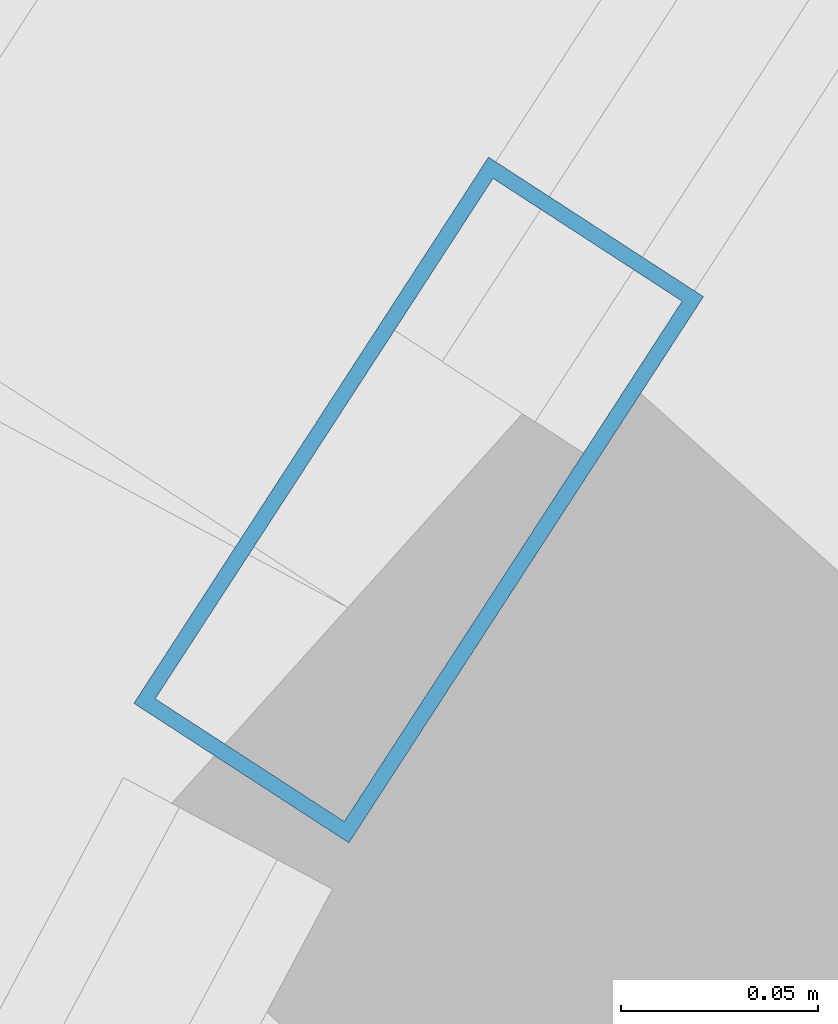
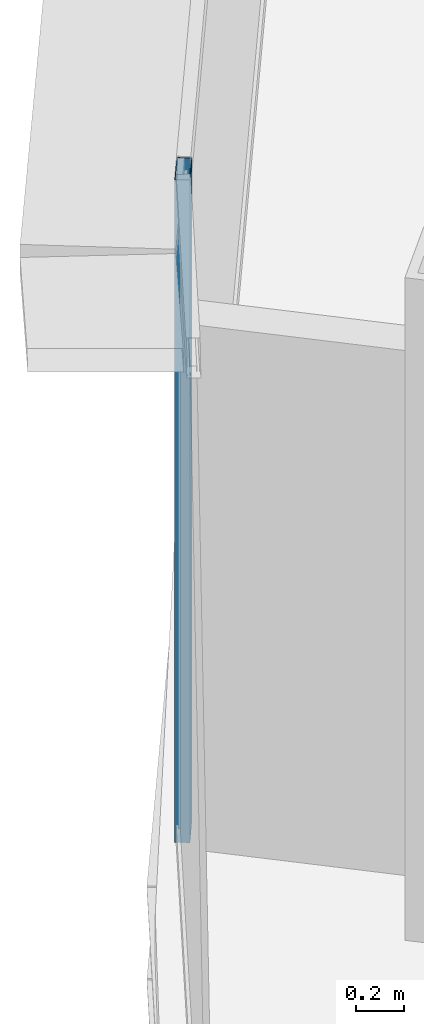
# One storey, part 16 of 42: 1 member, 1 element without a shape of its own.
"""IFC4 building model written with IfcOpenShell, lengths in metres."""

from ifc_helpers import new_model, si_unit, direction, frame, origin, origin_2d, place, context, subcontext, project, spatial, hollow_rectangle, extrude, source, transform, mapped, material, layer, layer_set, material_profile, profile_set, type_object, element, aggregate, save


model = new_model("IFC4")

# Units and contexts
model_context = context("Model", 3, precision=1e-05, world=origin(), true_north=direction((0.0, 1.0)))
body_context = subcontext(model_context, "Body", "Model", "MODEL_VIEW")
ifc_project = project(units=[si_unit("LENGTHUNIT", "METRE"), si_unit("AREAUNIT", "SQUARE_METRE"), si_unit("VOLUMEUNIT", "CUBIC_METRE"), si_unit("PLANEANGLEUNIT", "RADIAN"), si_unit("MASSUNIT", "GRAM", prefix="KILO"), si_unit("THERMODYNAMICTEMPERATUREUNIT", "KELVIN"), si_unit("POWERUNIT", "WATT")], contexts=[model_context])

# Site, building, storey
site_placement = place(None, origin())
site = spatial("IfcSite", under=ifc_project, at=site_placement, CompositionType="ELEMENT")
building_placement = place(site_placement, origin())
building = spatial("IfcBuilding", under=site, at=building_placement, Name="Yunzhuo Pagoda Commons", CompositionType="ELEMENT")
storey_placement = place(building_placement, frame((0.0, 0.0, 41.2900390625)))
storey = spatial("IfcBuildingStorey", under=building, at=storey_placement, Name="L10", CompositionType="ELEMENT", Elevation=41.2900390625)

# Curtain wall, member
ifc_material = material(Name="Anodized aluminium 6063-T6", Category="aluminium")
ifc_layer = layer(ifc_material, 0.1650390625)
ifc_layer_set = layer_set([ifc_layer], Name="Anodized aluminium 6063-T6")
curtain_wall_type = type_object("IfcCurtainWallType", Name="CW-LOW Low-Zone Ribbon Curtain Wall", PredefinedType="NOTDEFINED", material=ifc_layer_set)
curtain_wall_placement = place(storey_placement, origin())
curtain_wall = element("IfcCurtainWall", 1, at=curtain_wall_placement, inside=storey, type_object=curtain_wall_type, Name="L10 curtain wall CW-L10-F3B2", PredefinedType="NOTDEFINED")
ifc_material_profile = material_profile(ifc_material, hollow_rectangle(XDim=0.06494140625, YDim=0.1650390625, WallThickness=0.00390625, at=origin_2d()), Name="Anodized aluminium 6063-T6")
ifc_profile_set = profile_set([ifc_material_profile], Name="Anodized aluminium 6063-T6")
member_type = type_object("IfcMemberType", Name="CW-LOW-M Mullion RHS 165x65x4", PredefinedType="MULLION", material=ifc_profile_set)
shared_shape = source(origin(), body_context, "Body", "SweptSolid", [
    extrude(hollow_rectangle(XDim=0.06494140625, YDim=0.1650390625, WallThickness=0.00390625, at=origin_2d()), origin(), (0.0, 0.0, 1.0), 3.369873046875),
])
member_placement = place(storey_placement, frame((21.17041015625, 57.900634765625, 0.0), z_axis=(0.0, 0.0, 1.0), x_axis=(0.838709783089, -0.54457864423, 0.0)))
member = element("IfcMember", 2, at=member_placement, type_object=member_type, Name="CW mullion 2", PredefinedType="MULLION", context=body_context, shape_type="MappedRepresentation", body=[
    mapped(shared_shape, transform((0.0, 0.0, 0.0), scale=1.0)),
])
aggregate(curtain_wall, [member])

save(model, "model.ifc")
